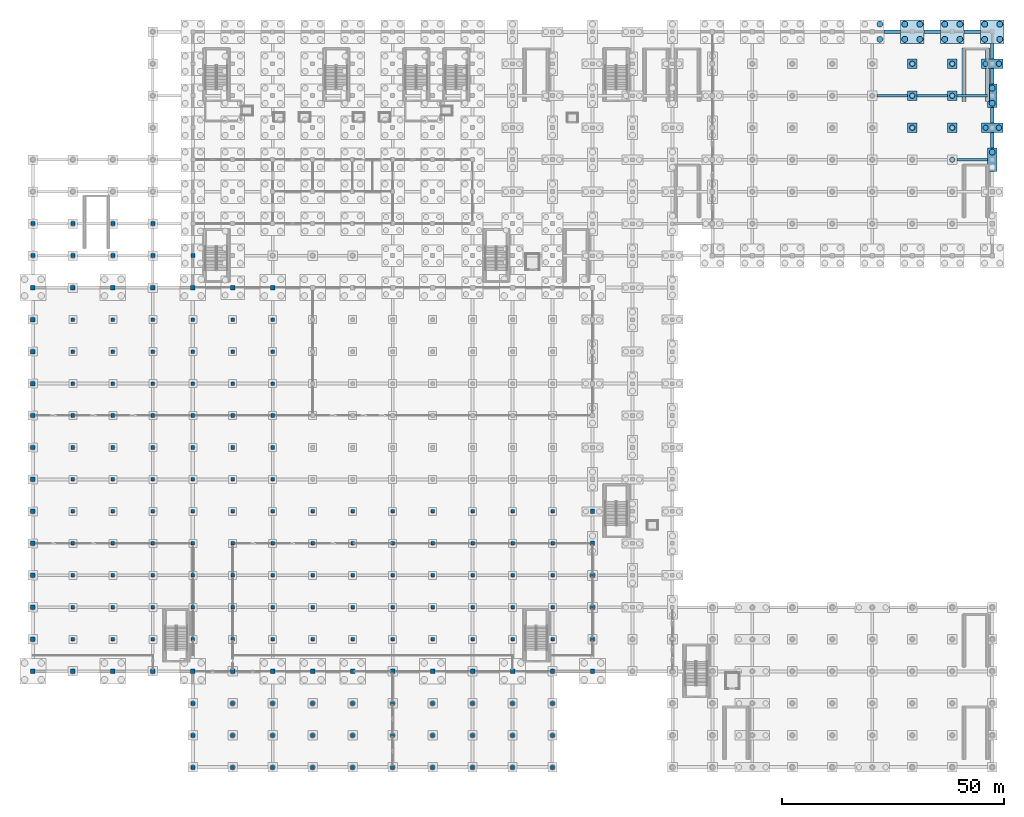
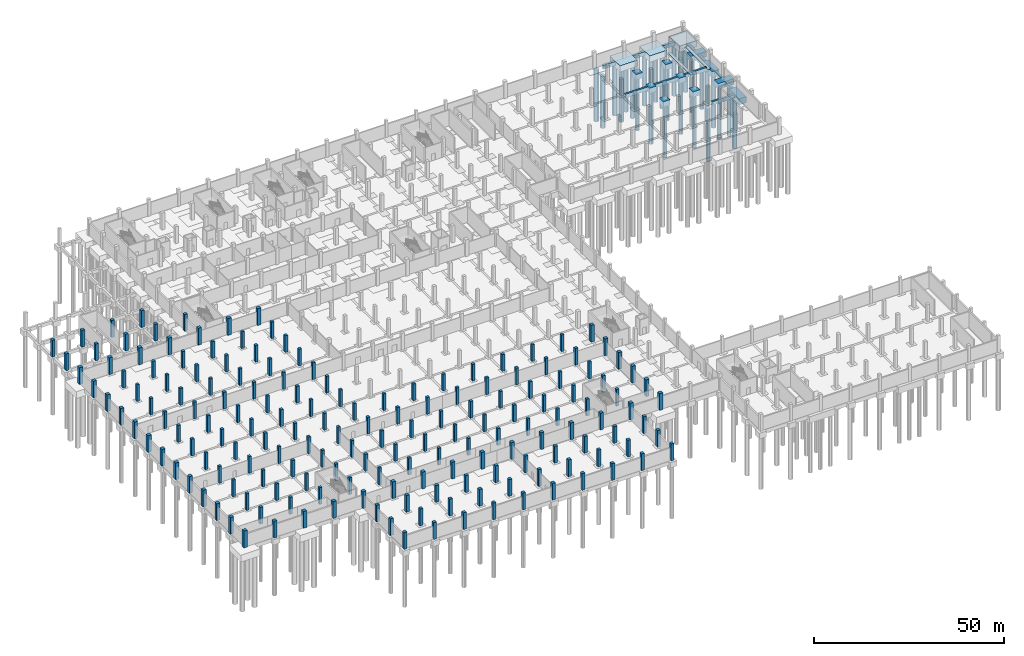
# One storey, part 12 of 39: 178 columns, 28 piles, 26 footings.
"""IFC4 building model written with IfcOpenShell, lengths in metres."""

from ifc_helpers import new_model, si_unit, direction, frame, origin, origin_2d, place, context, subcontext, project, spatial, rectangle, circle, extrude, material, material_profile, profile_set, type_object, element, save


model = new_model("IFC4")

# Units and contexts
model_context = context("Model", 3, precision=1e-05, world=origin(), true_north=direction((0.0, 1.0)))
body_context = subcontext(model_context, "Body", "Model", "MODEL_VIEW")
ifc_project = project(units=[si_unit("LENGTHUNIT", "METRE"), si_unit("AREAUNIT", "SQUARE_METRE"), si_unit("VOLUMEUNIT", "CUBIC_METRE"), si_unit("PLANEANGLEUNIT", "RADIAN"), si_unit("MASSUNIT", "GRAM", prefix="KILO")], contexts=[model_context])

# Site, building, storey
site_placement = place(None, origin())
site = spatial("IfcSite", under=ifc_project, at=site_placement, CompositionType="ELEMENT")
building_placement = place(site_placement, origin())
building = spatial("IfcBuilding", under=site, at=building_placement, Name="Celestram Park Convention Centre", CompositionType="ELEMENT")
storey_placement = place(building_placement, frame((0.0, 0.0, -5.39990234375)))
storey = spatial("IfcBuildingStorey", under=building, at=storey_placement, Name="B1", CompositionType="ELEMENT", Elevation=-5.39990234375)

# Footings
ifc_material_1 = material(Name="Concrete C40/50", Category="concrete")
footing_type_1 = type_object("IfcFootingType", Name="STR-CAP-PC2", PredefinedType="PILE_CAP", material=ifc_material_1)
for number, where, z_axis, x_axis, name in (
    (1, (198.0, 144.0, -1.7001953125), (0.0, 0.0, 1.0), (1.0, 0.0, 0.0), "Caisson cap PC-02 at (198.0, 144.0)"),
    (2, (198.0, 151.199951171875, -1.7001953125), (0.0, 0.0, 1.0), (1.0, 0.0, 0.0), "Caisson cap PC-02 at (198.0, 151.2)"),
    (3, (198.0, 158.39990234375, -1.7001953125), (0.0, 0.0, 1.0), (1.0, 0.0, 0.0), "Caisson cap PC-02 at (198.0, 158.4)"),
    (4, (207.0, 144.0, -1.7001953125), (0.0, 0.0, 1.0), (1.0, 0.0, 0.0), "Caisson cap PC-02 at (207.0, 144.0)"),
    (5, (207.0, 151.199951171875, -1.7001953125), (0.0, 0.0, 1.0), (1.0, 0.0, 0.0), "Caisson cap PC-02 at (207.0, 151.2)"),
    (6, (207.0, 158.39990234375, -1.7001953125), (0.0, 0.0, 1.0), (1.0, 0.0, 0.0), "Caisson cap PC-02 at (207.0, 158.4)"),
):
    element("IfcFooting", number, at=place(storey_placement, frame(where, z_axis=z_axis, x_axis=x_axis)), inside=storey, type_object=footing_type_1, Name=name, PredefinedType="PILE_CAP", context=body_context, shape_type="SweptSolid", body=[
        extrude(rectangle(XDim=2.10009765625, YDim=2.10009765625, at=origin_2d()), origin(), (0.0, 0.0, 1.0), 1.699951171875),
    ])
footing_type_2 = type_object("IfcFootingType", Name="STR-CAP-PC4", PredefinedType="PILE_CAP", material=ifc_material_1)
for number, where, z_axis, x_axis, name in (
    (7, (216.0, 144.0, -1.80029296875), (0.0, 0.0, 1.0), (1.0, 0.0, 0.0), "Caisson cap PC-04 at (216.0, 144.0)"),
    (8, (216.0, 158.39990234375, -1.80029296875), (0.0, 0.0, 1.0), (1.0, 0.0, 0.0), "Caisson cap PC-04 at (216.0, 158.4)"),
):
    element("IfcFooting", number, at=place(storey_placement, frame(where, z_axis=z_axis, x_axis=x_axis)), inside=storey, type_object=footing_type_2, Name=name, PredefinedType="PILE_CAP", context=body_context, shape_type="SweptSolid", body=[
        extrude(rectangle(XDim=4.800048828125, YDim=2.10009765625, at=origin_2d()), origin(), (0.0, 0.0, 1.0), 1.800048828125),
    ])
footing_type_3 = type_object("IfcFootingType", Name="STR-CAP-PC5", PredefinedType="PILE_CAP", material=ifc_material_1)
for number, where, z_axis, x_axis, name in (
    (9, (216.0, 136.800048828125, -1.900146484375), (0.0, 0.0, 1.0), (1.0, 0.0, 0.0), "Caisson cap PC-05 at (216.0, 136.8)"),
    (10, (216.0, 151.199951171875, -1.900146484375), (0.0, 0.0, 1.0), (1.0, 0.0, 0.0), "Caisson cap PC-05 at (216.0, 151.2)"),
):
    element("IfcFooting", number, at=place(storey_placement, frame(where, z_axis=z_axis, x_axis=x_axis)), inside=storey, type_object=footing_type_3, Name=name, PredefinedType="PILE_CAP", context=body_context, shape_type="SweptSolid", body=[
        extrude(rectangle(XDim=2.199951171875, YDim=5.300048828125, at=origin_2d()), origin(), (0.0, 0.0, 1.0), 1.89990234375),
    ])
footing_type_4 = type_object("IfcFootingType", Name="STR-CAP-PC7", PredefinedType="PILE_CAP", material=ifc_material_1)
for number, where, z_axis, x_axis, name in (
    (11, (198.0, 165.60009765625, -2.0), (0.0, 0.0, 1.0), (1.0, 0.0, 0.0), "Caisson cap PC-07 at (198.0, 165.6)"),
    (12, (207.0, 165.60009765625, -2.0), (0.0, 0.0, 1.0), (1.0, 0.0, 0.0), "Caisson cap PC-07 at (207.0, 165.6)"),
    (13, (216.0, 165.60009765625, -2.0), (0.0, 0.0, 1.0), (1.0, 0.0, 0.0), "Caisson cap PC-07 at (216.0, 165.6)"),
):
    element("IfcFooting", number, at=place(storey_placement, frame(where, z_axis=z_axis, x_axis=x_axis)), inside=storey, type_object=footing_type_4, Name=name, PredefinedType="PILE_CAP", context=body_context, shape_type="SweptSolid", body=[
        extrude(rectangle(XDim=5.300048828125, YDim=5.300048828125, at=origin_2d()), origin(), (0.0, 0.0, 1.0), 2.0),
    ])
ifc_material_2 = material(Name="Concrete C35/45", Category="concrete")
footing_type_5 = type_object("IfcFootingType", Name="STR-FTG-GB05", PredefinedType="FOOTING_BEAM", material=ifc_material_2)
for number, where, z_axis, x_axis, name in (
    (14, (193.5, 151.199951171875, -1.10009765625), (0.0, 0.0, 1.0), (1.0, 0.0, 0.0), "Grade tie beam GB-B1-519"),
    (15, (202.5, 151.199951171875, -1.10009765625), (0.0, 0.0, 1.0), (1.0, 0.0, 0.0), "Grade tie beam GB-B1-530"),
):
    element("IfcFooting", number, at=place(storey_placement, frame(where, z_axis=z_axis, x_axis=x_axis)), inside=storey, type_object=footing_type_5, Name=name, PredefinedType="FOOTING_BEAM", context=body_context, shape_type="SweptSolid", body=[
        extrude(rectangle(XDim=6.89990234375, YDim=0.60009765625, at=origin_2d()), origin(), (0.0, 0.0, 1.0), 1.10009765625),
    ])
footing_type_6 = type_object("IfcFootingType", Name="STR-FTG-GB19", PredefinedType="FOOTING_BEAM", material=ifc_material_2)
for number, where, z_axis, x_axis, name in (
    (16, (193.5, 165.60009765625, -1.2001953125), (0.0, 0.0, 1.0), (1.0, 0.0, 0.0), "Grade tie beam GB-B1-522"),
    (17, (202.5, 165.60009765625, -1.2001953125), (0.0, 0.0, 1.0), (1.0, 0.0, 0.0), "Grade tie beam GB-B1-531"),
    (18, (211.5, 165.60009765625, -1.2001953125), (0.0, 0.0, 1.0), (1.0, 0.0, 0.0), "Grade tie beam GB-B1-540"),
):
    element("IfcFooting", number, at=place(storey_placement, frame(where, z_axis=z_axis, x_axis=x_axis)), inside=storey, type_object=footing_type_6, Name=name, PredefinedType="FOOTING_BEAM", context=body_context, shape_type="SweptSolid", body=[
        extrude(rectangle(XDim=3.699951171875, YDim=0.699951171875, at=origin_2d()), origin(), (0.0, 0.0, 1.0), 1.199951171875),
    ])
footing_type_7 = type_object("IfcFootingType", Name="STR-FTG-GB39", PredefinedType="FOOTING_BEAM", material=ifc_material_2)
for number, where, z_axis, x_axis, name in (
    (19, (216.0, 141.199951171875, -1.2001953125), (0.0, 0.0, 1.0), (0.0, 1.0, 0.0), "Grade tie beam GB-B1-549"),
    (20, (216.0, 146.800048828125, -1.2001953125), (0.0, 0.0, 1.0), (0.0, 1.0, 0.0), "Grade tie beam GB-B1-550"),
    (21, (216.0, 155.60009765625, -1.2001953125), (0.0, 0.0, 1.0), (0.0, 1.0, 0.0), "Grade tie beam GB-B1-551"),
    (22, (216.0, 161.199951171875, -1.2001953125), (0.0, 0.0, 1.0), (0.0, 1.0, 0.0), "Grade tie beam GB-B1-552"),
):
    element("IfcFooting", number, at=place(storey_placement, frame(where, z_axis=z_axis, x_axis=x_axis)), inside=storey, type_object=footing_type_7, Name=name, PredefinedType="FOOTING_BEAM", context=body_context, shape_type="SweptSolid", body=[
        extrude(rectangle(XDim=3.5, YDim=0.699951171875, at=origin_2d()), origin(), (0.0, 0.0, 1.0), 1.199951171875),
    ])
footing_type_8 = type_object("IfcFootingType", Name="STR-FTG-GB46", PredefinedType="FOOTING_BEAM", material=ifc_material_2)
for number, where, z_axis, x_axis, name in (
    (23, (211.47509765625, 136.800048828125, -1.10009765625), (0.0, 0.0, 1.0), (1.0, 0.0, 0.0), "Grade tie beam GB-B1-538"),
    (24, (211.47509765625, 151.199951171875, -1.10009765625), (0.0, 0.0, 1.0), (1.0, 0.0, 0.0), "Grade tie beam GB-B1-539"),
):
    element("IfcFooting", number, at=place(storey_placement, frame(where, z_axis=z_axis, x_axis=x_axis)), inside=storey, type_object=footing_type_8, Name=name, PredefinedType="FOOTING_BEAM", context=body_context, shape_type="SweptSolid", body=[
        extrude(rectangle(XDim=6.85009765625, YDim=0.60009765625, at=origin_2d()), origin(), (0.0, 0.0, 1.0), 1.10009765625),
    ])
footing_type_9 = type_object("IfcFootingType", Name="STR-FTG-SF50", PredefinedType="STRIP_FOOTING", material=ifc_material_2)
for number, where, z_axis, x_axis, name in (
    (25, (209.669921875, 155.945068359375, -0.75), (0.0, 0.0, 1.0), (0.0, 1.0, 0.0), "Core S07 strip footing"),
    (26, (214.969970703125, 155.945068359375, -0.75), (0.0, 0.0, 1.0), (0.0, 1.0, 0.0), "Core S07 strip footing"),
):
    element("IfcFooting", number, at=place(storey_placement, frame(where, z_axis=z_axis, x_axis=x_axis)), inside=storey, type_object=footing_type_9, Name=name, PredefinedType="STRIP_FOOTING", context=body_context, shape_type="SweptSolid", body=[
        extrude(rectangle(XDim=11.989990234375, YDim=0.89990234375, at=origin_2d()), origin(), (0.0, 0.0, 1.0), 0.75),
    ])

# Piles
ifc_material_profile_1 = material_profile(ifc_material_1, circle(Radius=0.60009765625, at=origin_2d()), Name="CAISSON1200")
ifc_profile_set_1 = profile_set([ifc_material_profile_1], Name="Concrete C40/50")
pile_type_1 = type_object("IfcPileType", Name="STR-PIL-C1200", PredefinedType="BORED", material=ifc_profile_set_1)
for number, where, z_axis, x_axis, name in (
    (27, (198.0, 144.0, -1.60009765625), (0.0, 0.0, -1.0), (1.0, 0.0, 0.0), "Bored caisson PC-B1-841"),
    (28, (198.0, 151.199951171875, -1.60009765625), (0.0, 0.0, -1.0), (1.0, 0.0, 0.0), "Bored caisson PC-B1-842"),
    (29, (198.0, 158.39990234375, -1.60009765625), (0.0, 0.0, -1.0), (1.0, 0.0, 0.0), "Bored caisson PC-B1-843"),
    (30, (207.0, 136.800048828125, -1.60009765625), (0.0, 0.0, -1.0), (1.0, 0.0, 0.0), "Bored caisson PC-B1-860"),
    (31, (207.0, 144.0, -1.60009765625), (0.0, 0.0, -1.0), (1.0, 0.0, 0.0), "Bored caisson PC-B1-861"),
    (32, (207.0, 151.199951171875, -1.60009765625), (0.0, 0.0, -1.0), (1.0, 0.0, 0.0), "Bored caisson PC-B1-862"),
    (33, (207.0, 158.39990234375, -1.60009765625), (0.0, 0.0, -1.0), (1.0, 0.0, 0.0), "Bored caisson PC-B1-863"),
):
    element("IfcPile", number, at=place(storey_placement, frame(where, z_axis=z_axis, x_axis=x_axis)), inside=storey, type_object=pile_type_1, Name=name, PredefinedType="BORED", context=body_context, shape_type="SweptSolid", body=[
        extrude(circle(Radius=0.60009765625, at=origin_2d()), origin(), (0.0, 0.0, 1.0), 17.0),
    ])
for number, where, z_axis, x_axis, name in (
    (34, (214.5, 144.0, -1.7001953125), (0.0, 0.0, -1.0), (1.0, 0.0, 0.0), "Bored caisson PC-B1-884"),
    (35, (217.5, 144.0, -1.7001953125), (0.0, 0.0, -1.0), (1.0, 0.0, 0.0), "Bored caisson PC-B1-885"),
    (36, (214.5, 158.39990234375, -1.7001953125), (0.0, 0.0, -1.0), (1.0, 0.0, 0.0), "Bored caisson PC-B1-888"),
    (37, (217.5, 158.39990234375, -1.7001953125), (0.0, 0.0, -1.0), (1.0, 0.0, 0.0), "Bored caisson PC-B1-889"),
):
    element("IfcPile", number, at=place(storey_placement, frame(where, z_axis=z_axis, x_axis=x_axis)), inside=storey, type_object=pile_type_1, Name=name, PredefinedType="BORED", context=body_context, shape_type="SweptSolid", body=[
        extrude(circle(Radius=0.60009765625, at=origin_2d()), origin(), (0.0, 0.0, 1.0), 16.89990234375),
    ])
ifc_material_profile_2 = material_profile(ifc_material_1, circle(Radius=0.675048828125, at=origin_2d()), Name="CAISSON1350")
ifc_profile_set_2 = profile_set([ifc_material_profile_2], Name="Concrete C40/50")
pile_type_2 = type_object("IfcPileType", Name="STR-PIL-C1350", PredefinedType="BORED", material=ifc_profile_set_2)
for number, where, z_axis, x_axis, name in (
    (38, (190.699951171875, 163.89990234375, -1.900146484375), (0.0, 0.0, -1.0), (1.0, 0.0, 0.0), "Bored caisson PC-B1-825"),
    (39, (190.699951171875, 167.300048828125, -1.900146484375), (0.0, 0.0, -1.0), (1.0, 0.0, 0.0), "Bored caisson PC-B1-827"),
    (40, (196.300048828125, 163.89990234375, -1.900146484375), (0.0, 0.0, -1.0), (1.0, 0.0, 0.0), "Bored caisson PC-B1-844"),
    (41, (199.699951171875, 163.89990234375, -1.900146484375), (0.0, 0.0, -1.0), (1.0, 0.0, 0.0), "Bored caisson PC-B1-845"),
    (42, (196.300048828125, 167.300048828125, -1.900146484375), (0.0, 0.0, -1.0), (1.0, 0.0, 0.0), "Bored caisson PC-B1-846"),
    (43, (199.699951171875, 167.300048828125, -1.900146484375), (0.0, 0.0, -1.0), (1.0, 0.0, 0.0), "Bored caisson PC-B1-847"),
    (44, (205.300048828125, 163.89990234375, -1.900146484375), (0.0, 0.0, -1.0), (1.0, 0.0, 0.0), "Bored caisson PC-B1-864"),
    (45, (208.699951171875, 163.89990234375, -1.900146484375), (0.0, 0.0, -1.0), (1.0, 0.0, 0.0), "Bored caisson PC-B1-865"),
    (46, (205.300048828125, 167.300048828125, -1.900146484375), (0.0, 0.0, -1.0), (1.0, 0.0, 0.0), "Bored caisson PC-B1-866"),
    (47, (208.699951171875, 167.300048828125, -1.900146484375), (0.0, 0.0, -1.0), (1.0, 0.0, 0.0), "Bored caisson PC-B1-867"),
):
    element("IfcPile", number, at=place(storey_placement, frame(where, z_axis=z_axis, x_axis=x_axis)), inside=storey, type_object=pile_type_2, Name=name, PredefinedType="BORED", context=body_context, shape_type="SweptSolid", body=[
        extrude(circle(Radius=0.675048828125, at=origin_2d()), origin(), (0.0, 0.0, 1.0), 16.699951171875),
    ])
for number, where, z_axis, x_axis, name in (
    (48, (216.0, 138.5, -1.800048828125), (0.0, 0.0, -1.0), (1.0, 0.0, 0.0), "Bored caisson PC-B1-883"),
    (49, (216.0, 149.5, -1.800048828125), (0.0, 0.0, -1.0), (1.0, 0.0, 0.0), "Bored caisson PC-B1-886"),
    (50, (216.0, 152.89990234375, -1.800048828125), (0.0, 0.0, -1.0), (1.0, 0.0, 0.0), "Bored caisson PC-B1-887"),
):
    element("IfcPile", number, at=place(storey_placement, frame(where, z_axis=z_axis, x_axis=x_axis)), inside=storey, type_object=pile_type_2, Name=name, PredefinedType="BORED", context=body_context, shape_type="SweptSolid", body=[
        extrude(circle(Radius=0.675048828125, at=origin_2d()), origin(), (0.0, 0.0, 1.0), 16.800048828125),
    ])
for number, where, z_axis, x_axis, name in (
    (51, (214.300048828125, 163.89990234375, -1.900146484375), (0.0, 0.0, -1.0), (1.0, 0.0, 0.0), "Bored caisson PC-B1-890"),
    (52, (217.699951171875, 163.89990234375, -1.900146484375), (0.0, 0.0, -1.0), (1.0, 0.0, 0.0), "Bored caisson PC-B1-891"),
    (53, (214.300048828125, 167.300048828125, -1.900146484375), (0.0, 0.0, -1.0), (1.0, 0.0, 0.0), "Bored caisson PC-B1-892"),
    (54, (217.699951171875, 167.300048828125, -1.900146484375), (0.0, 0.0, -1.0), (1.0, 0.0, 0.0), "Bored caisson PC-B1-893"),
):
    element("IfcPile", number, at=place(storey_placement, frame(where, z_axis=z_axis, x_axis=x_axis)), inside=storey, type_object=pile_type_2, Name=name, PredefinedType="BORED", context=body_context, shape_type="SweptSolid", body=[
        extrude(circle(Radius=0.675048828125, at=origin_2d()), origin(), (0.0, 0.0, 1.0), 16.699951171875),
    ])

# Columns
ifc_material_profile_3 = material_profile(ifc_material_1, rectangle(XDim=1.0, YDim=1.0, at=origin_2d()), Name="RC1000X1000")
ifc_profile_set_3 = profile_set([ifc_material_profile_3], Name="Concrete C40/50")
column_type_1 = type_object("IfcColumnType", Name="STR-COL-RC1000", PredefinedType="COLUMN", material=ifc_profile_set_3)
for number, where, z_axis, x_axis, name in (
    (55, (0.0, 21.60009765625, 0.0), (0.0, 0.0, 1.0), (1.0, 0.0, 0.0), "Column CN-B1-001"),
    (56, (0.0, 28.800048828125, 0.0), (0.0, 0.0, 1.0), (1.0, 0.0, 0.0), "Column CN-B1-002"),
    (57, (0.0, 36.0, 0.0), (0.0, 0.0, 1.0), (1.0, 0.0, 0.0), "Column CN-B1-003"),
    (58, (0.0, 43.199951171875, 0.0), (0.0, 0.0, 1.0), (1.0, 0.0, 0.0), "Column CN-B1-004"),
    (59, (0.0, 50.39990234375, 0.0), (0.0, 0.0, 1.0), (1.0, 0.0, 0.0), "Column CN-B1-005"),
    (60, (0.0, 57.60009765625, 0.0), (0.0, 0.0, 1.0), (1.0, 0.0, 0.0), "Column CN-B1-006"),
    (61, (0.0, 64.800048828125, 0.0), (0.0, 0.0, 1.0), (1.0, 0.0, 0.0), "Column CN-B1-007"),
    (62, (0.0, 72.0, 0.0), (0.0, 0.0, 1.0), (1.0, 0.0, 0.0), "Column CN-B1-008"),
    (63, (0.0, 79.199951171875, 0.0), (0.0, 0.0, 1.0), (1.0, 0.0, 0.0), "Column CN-B1-009"),
    (64, (0.0, 86.39990234375, 0.0), (0.0, 0.0, 1.0), (1.0, 0.0, 0.0), "Column CN-B1-010"),
    (65, (0.0, 93.60009765625, 0.0), (0.0, 0.0, 1.0), (1.0, 0.0, 0.0), "Column CN-B1-011"),
    (66, (0.0, 100.800048828125, 0.0), (0.0, 0.0, 1.0), (1.0, 0.0, 0.0), "Column CN-B1-012"),
    (67, (0.0, 108.0, 0.0), (0.0, 0.0, 1.0), (1.0, 0.0, 0.0), "Column CN-B1-013"),
    (68, (9.0, 21.60009765625, 0.0), (0.0, 0.0, 1.0), (1.0, 0.0, 0.0), "Column CN-B1-018"),
    (69, (9.0, 108.0, 0.0), (0.0, 0.0, 1.0), (1.0, 0.0, 0.0), "Column CN-B1-030"),
    (70, (18.0, 21.60009765625, 0.0), (0.0, 0.0, 1.0), (1.0, 0.0, 0.0), "Column CN-B1-035"),
    (71, (18.0, 108.0, 0.0), (0.0, 0.0, 1.0), (1.0, 0.0, 0.0), "Column CN-B1-047"),
    (72, (27.0, 21.60009765625, 0.0), (0.0, 0.0, 1.0), (1.0, 0.0, 0.0), "Column CN-B1-052"),
    (73, (27.0, 108.0, 0.0), (0.0, 0.0, 1.0), (1.0, 0.0, 0.0), "Column CN-B1-064"),
    (74, (36.0, 21.60009765625, 0.0), (0.0, 0.0, 1.0), (1.0, 0.0, 0.0), "Column CN-B1-076"),
    (75, (36.0, 108.0, 0.0), (0.0, 0.0, 1.0), (1.0, 0.0, 0.0), "Column CN-B1-088"),
    (76, (45.0, 21.60009765625, 0.0), (0.0, 0.0, 1.0), (1.0, 0.0, 0.0), "Column CN-B1-100"),
    (77, (45.0, 108.0, 0.0), (0.0, 0.0, 1.0), (1.0, 0.0, 0.0), "Column CN-B1-112"),
    (78, (54.0, 21.60009765625, 0.0), (0.0, 0.0, 1.0), (1.0, 0.0, 0.0), "Column CN-B1-124"),
    (79, (54.0, 108.0, 0.0), (0.0, 0.0, 1.0), (1.0, 0.0, 0.0), "Column CN-B1-136"),
    (80, (63.0, 21.60009765625, 0.0), (0.0, 0.0, 1.0), (1.0, 0.0, 0.0), "Column CN-B1-148"),
    (81, (72.0, 21.60009765625, 0.0), (0.0, 0.0, 1.0), (1.0, 0.0, 0.0), "Column CN-B1-172"),
    (82, (81.0, 21.60009765625, 0.0), (0.0, 0.0, 1.0), (1.0, 0.0, 0.0), "Column CN-B1-196"),
    (83, (90.0, 21.60009765625, 0.0), (0.0, 0.0, 1.0), (1.0, 0.0, 0.0), "Column CN-B1-220"),
    (84, (99.0, 21.60009765625, 0.0), (0.0, 0.0, 1.0), (1.0, 0.0, 0.0), "Column CN-B1-244"),
    (85, (108.0, 21.60009765625, 0.0), (0.0, 0.0, 1.0), (1.0, 0.0, 0.0), "Column CN-B1-268"),
    (86, (117.0, 21.60009765625, 0.0), (0.0, 0.0, 1.0), (1.0, 0.0, 0.0), "Column CN-B1-292"),
    (87, (126.0, 21.60009765625, 0.0), (0.0, 0.0, 1.0), (1.0, 0.0, 0.0), "Column CN-B1-313"),
    (88, (126.0, 28.800048828125, 0.0), (0.0, 0.0, 1.0), (1.0, 0.0, 0.0), "Column CN-B1-314"),
    (89, (126.0, 36.0, 0.0), (0.0, 0.0, 1.0), (1.0, 0.0, 0.0), "Column CN-B1-315"),
    (90, (126.0, 43.199951171875, 0.0), (0.0, 0.0, 1.0), (1.0, 0.0, 0.0), "Column CN-B1-316"),
    (91, (126.0, 50.39990234375, 0.0), (0.0, 0.0, 1.0), (1.0, 0.0, 0.0), "Column CN-B1-317"),
    (92, (126.0, 57.60009765625, 0.0), (0.0, 0.0, 1.0), (1.0, 0.0, 0.0), "Column CN-B1-318"),
):
    element("IfcColumn", number, at=place(storey_placement, frame(where, z_axis=z_axis, x_axis=x_axis)), inside=storey, type_object=column_type_1, Name=name, PredefinedType="COLUMN", context=body_context, shape_type="SweptSolid", body=[
        extrude(rectangle(XDim=1.0, YDim=1.0, at=origin_2d()), origin(), (0.0, 0.0, 1.0), 5.39990234375),
    ])
ifc_material_profile_4 = material_profile(ifc_material_1, rectangle(XDim=0.800048828125, YDim=0.800048828125, at=origin_2d()), Name="RC800X800")
ifc_profile_set_4 = profile_set([ifc_material_profile_4], Name="Concrete C40/50")
column_type_2 = type_object("IfcColumnType", Name="STR-COL-RC800", PredefinedType="COLUMN", material=ifc_profile_set_4)
for number, where, z_axis, x_axis, name in (
    (93, (9.0, 28.800048828125, 0.0), (0.0, 0.0, 1.0), (1.0, 0.0, 0.0), "Column CN-B1-019"),
    (94, (9.0, 36.0, 0.0), (0.0, 0.0, 1.0), (1.0, 0.0, 0.0), "Column CN-B1-020"),
    (95, (9.0, 43.199951171875, 0.0), (0.0, 0.0, 1.0), (1.0, 0.0, 0.0), "Column CN-B1-021"),
    (96, (9.0, 50.39990234375, 0.0), (0.0, 0.0, 1.0), (1.0, 0.0, 0.0), "Column CN-B1-022"),
    (97, (9.0, 57.60009765625, 0.0), (0.0, 0.0, 1.0), (1.0, 0.0, 0.0), "Column CN-B1-023"),
    (98, (9.0, 64.800048828125, 0.0), (0.0, 0.0, 1.0), (1.0, 0.0, 0.0), "Column CN-B1-024"),
    (99, (9.0, 72.0, 0.0), (0.0, 0.0, 1.0), (1.0, 0.0, 0.0), "Column CN-B1-025"),
    (100, (9.0, 79.199951171875, 0.0), (0.0, 0.0, 1.0), (1.0, 0.0, 0.0), "Column CN-B1-026"),
    (101, (9.0, 86.39990234375, 0.0), (0.0, 0.0, 1.0), (1.0, 0.0, 0.0), "Column CN-B1-027"),
    (102, (9.0, 93.60009765625, 0.0), (0.0, 0.0, 1.0), (1.0, 0.0, 0.0), "Column CN-B1-028"),
    (103, (9.0, 100.800048828125, 0.0), (0.0, 0.0, 1.0), (1.0, 0.0, 0.0), "Column CN-B1-029"),
    (104, (18.0, 28.800048828125, 0.0), (0.0, 0.0, 1.0), (1.0, 0.0, 0.0), "Column CN-B1-036"),
    (105, (18.0, 36.0, 0.0), (0.0, 0.0, 1.0), (1.0, 0.0, 0.0), "Column CN-B1-037"),
    (106, (18.0, 43.199951171875, 0.0), (0.0, 0.0, 1.0), (1.0, 0.0, 0.0), "Column CN-B1-038"),
    (107, (18.0, 50.39990234375, 0.0), (0.0, 0.0, 1.0), (1.0, 0.0, 0.0), "Column CN-B1-039"),
    (108, (18.0, 57.60009765625, 0.0), (0.0, 0.0, 1.0), (1.0, 0.0, 0.0), "Column CN-B1-040"),
    (109, (18.0, 64.800048828125, 0.0), (0.0, 0.0, 1.0), (1.0, 0.0, 0.0), "Column CN-B1-041"),
    (110, (18.0, 72.0, 0.0), (0.0, 0.0, 1.0), (1.0, 0.0, 0.0), "Column CN-B1-042"),
    (111, (18.0, 79.199951171875, 0.0), (0.0, 0.0, 1.0), (1.0, 0.0, 0.0), "Column CN-B1-043"),
    (112, (18.0, 86.39990234375, 0.0), (0.0, 0.0, 1.0), (1.0, 0.0, 0.0), "Column CN-B1-044"),
    (113, (18.0, 93.60009765625, 0.0), (0.0, 0.0, 1.0), (1.0, 0.0, 0.0), "Column CN-B1-045"),
    (114, (18.0, 100.800048828125, 0.0), (0.0, 0.0, 1.0), (1.0, 0.0, 0.0), "Column CN-B1-046"),
    (115, (27.0, 28.800048828125, 0.0), (0.0, 0.0, 1.0), (1.0, 0.0, 0.0), "Column CN-B1-053"),
    (116, (27.0, 36.0, 0.0), (0.0, 0.0, 1.0), (1.0, 0.0, 0.0), "Column CN-B1-054"),
    (117, (27.0, 43.199951171875, 0.0), (0.0, 0.0, 1.0), (1.0, 0.0, 0.0), "Column CN-B1-055"),
    (118, (27.0, 50.39990234375, 0.0), (0.0, 0.0, 1.0), (1.0, 0.0, 0.0), "Column CN-B1-056"),
    (119, (27.0, 57.60009765625, 0.0), (0.0, 0.0, 1.0), (1.0, 0.0, 0.0), "Column CN-B1-057"),
    (120, (27.0, 64.800048828125, 0.0), (0.0, 0.0, 1.0), (1.0, 0.0, 0.0), "Column CN-B1-058"),
    (121, (27.0, 72.0, 0.0), (0.0, 0.0, 1.0), (1.0, 0.0, 0.0), "Column CN-B1-059"),
    (122, (27.0, 79.199951171875, 0.0), (0.0, 0.0, 1.0), (1.0, 0.0, 0.0), "Column CN-B1-060"),
    (123, (27.0, 86.39990234375, 0.0), (0.0, 0.0, 1.0), (1.0, 0.0, 0.0), "Column CN-B1-061"),
    (124, (27.0, 93.60009765625, 0.0), (0.0, 0.0, 1.0), (1.0, 0.0, 0.0), "Column CN-B1-062"),
    (125, (27.0, 100.800048828125, 0.0), (0.0, 0.0, 1.0), (1.0, 0.0, 0.0), "Column CN-B1-063"),
    (126, (36.0, 28.800048828125, 0.0), (0.0, 0.0, 1.0), (1.0, 0.0, 0.0), "Column CN-B1-077"),
    (127, (36.0, 36.0, 0.0), (0.0, 0.0, 1.0), (1.0, 0.0, 0.0), "Column CN-B1-078"),
    (128, (36.0, 43.199951171875, 0.0), (0.0, 0.0, 1.0), (1.0, 0.0, 0.0), "Column CN-B1-079"),
    (129, (36.0, 50.39990234375, 0.0), (0.0, 0.0, 1.0), (1.0, 0.0, 0.0), "Column CN-B1-080"),
    (130, (36.0, 57.60009765625, 0.0), (0.0, 0.0, 1.0), (1.0, 0.0, 0.0), "Column CN-B1-081"),
    (131, (36.0, 64.800048828125, 0.0), (0.0, 0.0, 1.0), (1.0, 0.0, 0.0), "Column CN-B1-082"),
    (132, (36.0, 72.0, 0.0), (0.0, 0.0, 1.0), (1.0, 0.0, 0.0), "Column CN-B1-083"),
    (133, (36.0, 79.199951171875, 0.0), (0.0, 0.0, 1.0), (1.0, 0.0, 0.0), "Column CN-B1-084"),
    (134, (36.0, 86.39990234375, 0.0), (0.0, 0.0, 1.0), (1.0, 0.0, 0.0), "Column CN-B1-085"),
    (135, (36.0, 93.60009765625, 0.0), (0.0, 0.0, 1.0), (1.0, 0.0, 0.0), "Column CN-B1-086"),
    (136, (36.0, 100.800048828125, 0.0), (0.0, 0.0, 1.0), (1.0, 0.0, 0.0), "Column CN-B1-087"),
    (137, (45.0, 28.800048828125, 0.0), (0.0, 0.0, 1.0), (1.0, 0.0, 0.0), "Column CN-B1-101"),
    (138, (45.0, 36.0, 0.0), (0.0, 0.0, 1.0), (1.0, 0.0, 0.0), "Column CN-B1-102"),
    (139, (45.0, 43.199951171875, 0.0), (0.0, 0.0, 1.0), (1.0, 0.0, 0.0), "Column CN-B1-103"),
    (140, (45.0, 50.39990234375, 0.0), (0.0, 0.0, 1.0), (1.0, 0.0, 0.0), "Column CN-B1-104"),
    (141, (45.0, 57.60009765625, 0.0), (0.0, 0.0, 1.0), (1.0, 0.0, 0.0), "Column CN-B1-105"),
    (142, (45.0, 64.800048828125, 0.0), (0.0, 0.0, 1.0), (1.0, 0.0, 0.0), "Column CN-B1-106"),
    (143, (45.0, 72.0, 0.0), (0.0, 0.0, 1.0), (1.0, 0.0, 0.0), "Column CN-B1-107"),
    (144, (45.0, 79.199951171875, 0.0), (0.0, 0.0, 1.0), (1.0, 0.0, 0.0), "Column CN-B1-108"),
    (145, (45.0, 86.39990234375, 0.0), (0.0, 0.0, 1.0), (1.0, 0.0, 0.0), "Column CN-B1-109"),
    (146, (45.0, 93.60009765625, 0.0), (0.0, 0.0, 1.0), (1.0, 0.0, 0.0), "Column CN-B1-110"),
    (147, (45.0, 100.800048828125, 0.0), (0.0, 0.0, 1.0), (1.0, 0.0, 0.0), "Column CN-B1-111"),
    (148, (54.0, 28.800048828125, 0.0), (0.0, 0.0, 1.0), (1.0, 0.0, 0.0), "Column CN-B1-125"),
    (149, (54.0, 36.0, 0.0), (0.0, 0.0, 1.0), (1.0, 0.0, 0.0), "Column CN-B1-126"),
    (150, (54.0, 43.199951171875, 0.0), (0.0, 0.0, 1.0), (1.0, 0.0, 0.0), "Column CN-B1-127"),
    (151, (54.0, 50.39990234375, 0.0), (0.0, 0.0, 1.0), (1.0, 0.0, 0.0), "Column CN-B1-128"),
    (152, (54.0, 57.60009765625, 0.0), (0.0, 0.0, 1.0), (1.0, 0.0, 0.0), "Column CN-B1-129"),
    (153, (54.0, 64.800048828125, 0.0), (0.0, 0.0, 1.0), (1.0, 0.0, 0.0), "Column CN-B1-130"),
    (154, (54.0, 72.0, 0.0), (0.0, 0.0, 1.0), (1.0, 0.0, 0.0), "Column CN-B1-131"),
    (155, (54.0, 79.199951171875, 0.0), (0.0, 0.0, 1.0), (1.0, 0.0, 0.0), "Column CN-B1-132"),
    (156, (54.0, 86.39990234375, 0.0), (0.0, 0.0, 1.0), (1.0, 0.0, 0.0), "Column CN-B1-133"),
    (157, (54.0, 93.60009765625, 0.0), (0.0, 0.0, 1.0), (1.0, 0.0, 0.0), "Column CN-B1-134"),
    (158, (54.0, 100.800048828125, 0.0), (0.0, 0.0, 1.0), (1.0, 0.0, 0.0), "Column CN-B1-135"),
    (159, (63.0, 28.800048828125, 0.0), (0.0, 0.0, 1.0), (1.0, 0.0, 0.0), "Column CN-B1-149"),
    (160, (63.0, 36.0, 0.0), (0.0, 0.0, 1.0), (1.0, 0.0, 0.0), "Column CN-B1-150"),
    (161, (63.0, 43.199951171875, 0.0), (0.0, 0.0, 1.0), (1.0, 0.0, 0.0), "Column CN-B1-151"),
    (162, (63.0, 50.39990234375, 0.0), (0.0, 0.0, 1.0), (1.0, 0.0, 0.0), "Column CN-B1-152"),
    (163, (63.0, 57.60009765625, 0.0), (0.0, 0.0, 1.0), (1.0, 0.0, 0.0), "Column CN-B1-153"),
    (164, (72.0, 28.800048828125, 0.0), (0.0, 0.0, 1.0), (1.0, 0.0, 0.0), "Column CN-B1-173"),
    (165, (72.0, 36.0, 0.0), (0.0, 0.0, 1.0), (1.0, 0.0, 0.0), "Column CN-B1-174"),
    (166, (72.0, 43.199951171875, 0.0), (0.0, 0.0, 1.0), (1.0, 0.0, 0.0), "Column CN-B1-175"),
    (167, (72.0, 50.39990234375, 0.0), (0.0, 0.0, 1.0), (1.0, 0.0, 0.0), "Column CN-B1-176"),
    (168, (72.0, 57.60009765625, 0.0), (0.0, 0.0, 1.0), (1.0, 0.0, 0.0), "Column CN-B1-177"),
    (169, (81.0, 28.800048828125, 0.0), (0.0, 0.0, 1.0), (1.0, 0.0, 0.0), "Column CN-B1-197"),
    (170, (81.0, 36.0, 0.0), (0.0, 0.0, 1.0), (1.0, 0.0, 0.0), "Column CN-B1-198"),
    (171, (81.0, 43.199951171875, 0.0), (0.0, 0.0, 1.0), (1.0, 0.0, 0.0), "Column CN-B1-199"),
    (172, (81.0, 50.39990234375, 0.0), (0.0, 0.0, 1.0), (1.0, 0.0, 0.0), "Column CN-B1-200"),
    (173, (81.0, 57.60009765625, 0.0), (0.0, 0.0, 1.0), (1.0, 0.0, 0.0), "Column CN-B1-201"),
    (174, (90.0, 28.800048828125, 0.0), (0.0, 0.0, 1.0), (1.0, 0.0, 0.0), "Column CN-B1-221"),
    (175, (90.0, 36.0, 0.0), (0.0, 0.0, 1.0), (1.0, 0.0, 0.0), "Column CN-B1-222"),
    (176, (90.0, 43.199951171875, 0.0), (0.0, 0.0, 1.0), (1.0, 0.0, 0.0), "Column CN-B1-223"),
    (177, (90.0, 50.39990234375, 0.0), (0.0, 0.0, 1.0), (1.0, 0.0, 0.0), "Column CN-B1-224"),
    (178, (90.0, 57.60009765625, 0.0), (0.0, 0.0, 1.0), (1.0, 0.0, 0.0), "Column CN-B1-225"),
    (179, (99.0, 28.800048828125, 0.0), (0.0, 0.0, 1.0), (1.0, 0.0, 0.0), "Column CN-B1-245"),
    (180, (99.0, 36.0, 0.0), (0.0, 0.0, 1.0), (1.0, 0.0, 0.0), "Column CN-B1-246"),
    (181, (99.0, 43.199951171875, 0.0), (0.0, 0.0, 1.0), (1.0, 0.0, 0.0), "Column CN-B1-247"),
    (182, (99.0, 50.39990234375, 0.0), (0.0, 0.0, 1.0), (1.0, 0.0, 0.0), "Column CN-B1-248"),
    (183, (99.0, 57.60009765625, 0.0), (0.0, 0.0, 1.0), (1.0, 0.0, 0.0), "Column CN-B1-249"),
    (184, (108.0, 28.800048828125, 0.0), (0.0, 0.0, 1.0), (1.0, 0.0, 0.0), "Column CN-B1-269"),
    (185, (108.0, 36.0, 0.0), (0.0, 0.0, 1.0), (1.0, 0.0, 0.0), "Column CN-B1-270"),
    (186, (108.0, 43.199951171875, 0.0), (0.0, 0.0, 1.0), (1.0, 0.0, 0.0), "Column CN-B1-271"),
    (187, (108.0, 50.39990234375, 0.0), (0.0, 0.0, 1.0), (1.0, 0.0, 0.0), "Column CN-B1-272"),
    (188, (108.0, 57.60009765625, 0.0), (0.0, 0.0, 1.0), (1.0, 0.0, 0.0), "Column CN-B1-273"),
    (189, (117.0, 28.800048828125, 0.0), (0.0, 0.0, 1.0), (1.0, 0.0, 0.0), "Column CN-B1-293"),
    (190, (117.0, 36.0, 0.0), (0.0, 0.0, 1.0), (1.0, 0.0, 0.0), "Column CN-B1-294"),
    (191, (117.0, 43.199951171875, 0.0), (0.0, 0.0, 1.0), (1.0, 0.0, 0.0), "Column CN-B1-295"),
    (192, (117.0, 50.39990234375, 0.0), (0.0, 0.0, 1.0), (1.0, 0.0, 0.0), "Column CN-B1-296"),
    (193, (117.0, 57.60009765625, 0.0), (0.0, 0.0, 1.0), (1.0, 0.0, 0.0), "Column CN-B1-297"),
):
    element("IfcColumn", number, at=place(storey_placement, frame(where, z_axis=z_axis, x_axis=x_axis)), inside=storey, type_object=column_type_2, Name=name, PredefinedType="COLUMN", context=body_context, shape_type="SweptSolid", body=[
        extrude(rectangle(XDim=0.800048828125, YDim=0.800048828125, at=origin_2d()), origin(), (0.0, 0.0, 1.0), 5.39990234375),
    ])
ifc_material_profile_5 = material_profile(ifc_material_1, rectangle(XDim=0.89990234375, YDim=0.89990234375, at=origin_2d()), Name="RC900X900")
ifc_profile_set_5 = profile_set([ifc_material_profile_5], Name="Concrete C40/50")
column_type_3 = type_object("IfcColumnType", Name="STR-COL-RC900", PredefinedType="COLUMN", material=ifc_profile_set_5)
for number, where, z_axis, x_axis, name in (
    (194, (0.0, 115.199951171875, 0.0), (0.0, 0.0, 1.0), (1.0, 0.0, 0.0), "Column CN-B1-014"),
    (195, (0.0, 122.39990234375, 0.0), (0.0, 0.0, 1.0), (1.0, 0.0, 0.0), "Column CN-B1-015"),
    (196, (9.0, 115.199951171875, 0.0), (0.0, 0.0, 1.0), (1.0, 0.0, 0.0), "Column CN-B1-031"),
    (197, (9.0, 122.39990234375, 0.0), (0.0, 0.0, 1.0), (1.0, 0.0, 0.0), "Column CN-B1-032"),
    (198, (18.0, 115.199951171875, 0.0), (0.0, 0.0, 1.0), (1.0, 0.0, 0.0), "Column CN-B1-048"),
    (199, (18.0, 122.39990234375, 0.0), (0.0, 0.0, 1.0), (1.0, 0.0, 0.0), "Column CN-B1-049"),
    (200, (27.0, 115.199951171875, 0.0), (0.0, 0.0, 1.0), (1.0, 0.0, 0.0), "Column CN-B1-065"),
    (201, (27.0, 122.39990234375, 0.0), (0.0, 0.0, 1.0), (1.0, 0.0, 0.0), "Column CN-B1-066"),
    (202, (36.0, 0.0, 0.0), (0.0, 0.0, 1.0), (1.0, 0.0, 0.0), "Column CN-B1-073"),
    (203, (36.0, 7.199951171875, 0.0), (0.0, 0.0, 1.0), (1.0, 0.0, 0.0), "Column CN-B1-074"),
    (204, (36.0, 14.39990234375, 0.0), (0.0, 0.0, 1.0), (1.0, 0.0, 0.0), "Column CN-B1-075"),
    (205, (36.0, 115.199951171875, 0.0), (0.0, 0.0, 1.0), (1.0, 0.0, 0.0), "Column CN-B1-089"),
    (206, (45.0, 0.0, 0.0), (0.0, 0.0, 1.0), (1.0, 0.0, 0.0), "Column CN-B1-097"),
    (207, (45.0, 7.199951171875, 0.0), (0.0, 0.0, 1.0), (1.0, 0.0, 0.0), "Column CN-B1-098"),
    (208, (45.0, 14.39990234375, 0.0), (0.0, 0.0, 1.0), (1.0, 0.0, 0.0), "Column CN-B1-099"),
    (209, (54.0, 0.0, 0.0), (0.0, 0.0, 1.0), (1.0, 0.0, 0.0), "Column CN-B1-121"),
    (210, (54.0, 7.199951171875, 0.0), (0.0, 0.0, 1.0), (1.0, 0.0, 0.0), "Column CN-B1-122"),
    (211, (54.0, 14.39990234375, 0.0), (0.0, 0.0, 1.0), (1.0, 0.0, 0.0), "Column CN-B1-123"),
    (212, (63.0, 0.0, 0.0), (0.0, 0.0, 1.0), (1.0, 0.0, 0.0), "Column CN-B1-145"),
    (213, (63.0, 7.199951171875, 0.0), (0.0, 0.0, 1.0), (1.0, 0.0, 0.0), "Column CN-B1-146"),
    (214, (63.0, 14.39990234375, 0.0), (0.0, 0.0, 1.0), (1.0, 0.0, 0.0), "Column CN-B1-147"),
    (215, (72.0, 0.0, 0.0), (0.0, 0.0, 1.0), (1.0, 0.0, 0.0), "Column CN-B1-169"),
    (216, (72.0, 7.199951171875, 0.0), (0.0, 0.0, 1.0), (1.0, 0.0, 0.0), "Column CN-B1-170"),
    (217, (72.0, 14.39990234375, 0.0), (0.0, 0.0, 1.0), (1.0, 0.0, 0.0), "Column CN-B1-171"),
    (218, (81.0, 0.0, 0.0), (0.0, 0.0, 1.0), (1.0, 0.0, 0.0), "Column CN-B1-193"),
    (219, (81.0, 7.199951171875, 0.0), (0.0, 0.0, 1.0), (1.0, 0.0, 0.0), "Column CN-B1-194"),
    (220, (81.0, 14.39990234375, 0.0), (0.0, 0.0, 1.0), (1.0, 0.0, 0.0), "Column CN-B1-195"),
    (221, (90.0, 0.0, 0.0), (0.0, 0.0, 1.0), (1.0, 0.0, 0.0), "Column CN-B1-217"),
    (222, (90.0, 7.199951171875, 0.0), (0.0, 0.0, 1.0), (1.0, 0.0, 0.0), "Column CN-B1-218"),
    (223, (90.0, 14.39990234375, 0.0), (0.0, 0.0, 1.0), (1.0, 0.0, 0.0), "Column CN-B1-219"),
    (224, (99.0, 0.0, 0.0), (0.0, 0.0, 1.0), (1.0, 0.0, 0.0), "Column CN-B1-241"),
    (225, (99.0, 7.199951171875, 0.0), (0.0, 0.0, 1.0), (1.0, 0.0, 0.0), "Column CN-B1-242"),
    (226, (99.0, 14.39990234375, 0.0), (0.0, 0.0, 1.0), (1.0, 0.0, 0.0), "Column CN-B1-243"),
    (227, (108.0, 0.0, 0.0), (0.0, 0.0, 1.0), (1.0, 0.0, 0.0), "Column CN-B1-265"),
    (228, (108.0, 7.199951171875, 0.0), (0.0, 0.0, 1.0), (1.0, 0.0, 0.0), "Column CN-B1-266"),
    (229, (108.0, 14.39990234375, 0.0), (0.0, 0.0, 1.0), (1.0, 0.0, 0.0), "Column CN-B1-267"),
    (230, (117.0, 0.0, 0.0), (0.0, 0.0, 1.0), (1.0, 0.0, 0.0), "Column CN-B1-289"),
    (231, (117.0, 7.199951171875, 0.0), (0.0, 0.0, 1.0), (1.0, 0.0, 0.0), "Column CN-B1-290"),
    (232, (117.0, 14.39990234375, 0.0), (0.0, 0.0, 1.0), (1.0, 0.0, 0.0), "Column CN-B1-291"),
):
    element("IfcColumn", number, at=place(storey_placement, frame(where, z_axis=z_axis, x_axis=x_axis)), inside=storey, type_object=column_type_3, Name=name, PredefinedType="COLUMN", context=body_context, shape_type="SweptSolid", body=[
        extrude(rectangle(XDim=0.89990234375, YDim=0.89990234375, at=origin_2d()), origin(), (0.0, 0.0, 1.0), 5.39990234375),
    ])

save(model, "model.ifc")
